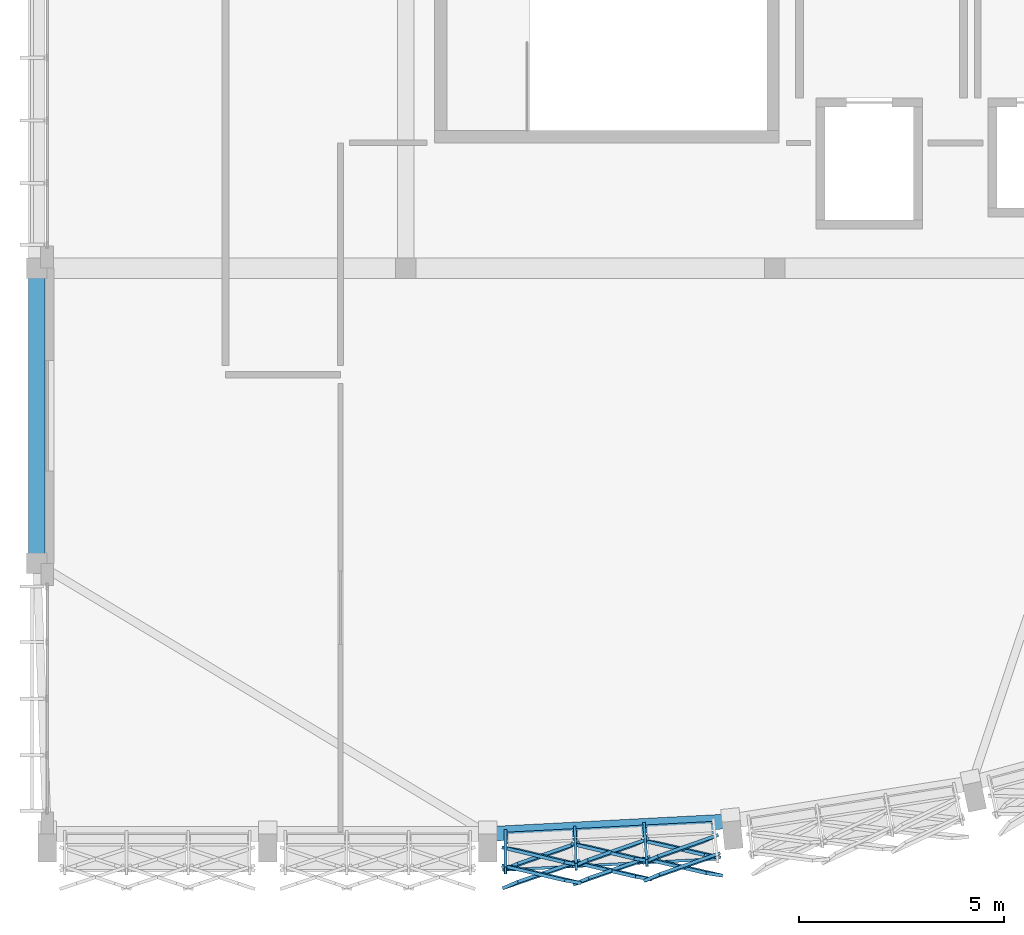
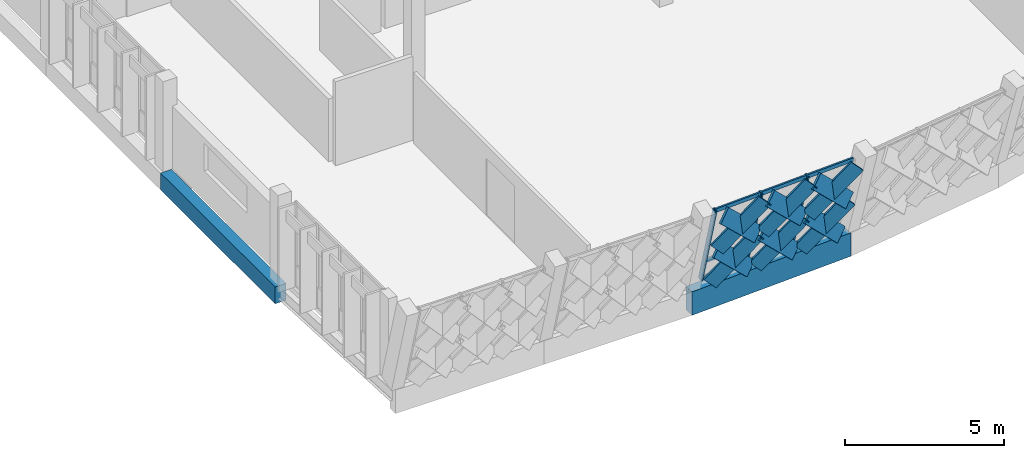
# One storey, part 3 of 24: 18 members, 2 beams, 1 element without a shape of its own.
"""IFC4 building model written with IfcOpenShell, lengths in metres."""

from ifc_helpers import new_model, si_unit, direction, frame, origin, origin_2d, place, context, subcontext, project, spatial, rectangle, hollow_rectangle, extrude, material, material_profile, profile_set, type_object, element, aggregate, save


model = new_model("IFC4")

# Units and contexts
model_context = context("Model", 3, precision=1e-05, world=origin(), true_north=direction((0.0, 1.0)))
body_context = subcontext(model_context, "Body", "Model", "MODEL_VIEW")
ifc_project = project(units=[si_unit("LENGTHUNIT", "METRE"), si_unit("AREAUNIT", "SQUARE_METRE"), si_unit("VOLUMEUNIT", "CUBIC_METRE"), si_unit("PLANEANGLEUNIT", "RADIAN"), si_unit("MASSUNIT", "GRAM", prefix="KILO")], contexts=[model_context])

# Site, building, storey
site_placement = place(None, origin())
site = spatial("IfcSite", under=ifc_project, at=site_placement, CompositionType="ELEMENT")
building_placement = place(site_placement, origin())
building = spatial("IfcBuilding", under=site, at=building_placement, Name="Chiffa Square Polytechnic", CompositionType="ELEMENT")
storey_placement = place(building_placement, frame((0.0, 0.0, 26.39990234375)))
storey = spatial("IfcBuildingStorey", under=building, at=storey_placement, Name="L06", CompositionType="ELEMENT", Elevation=26.39990234375)

# Beam
ifc_material_1 = material(Name="Concrete C35/45", Category="concrete")
ifc_material_profile_1 = material_profile(ifc_material_1, rectangle(XDim=0.39990234375, YDim=0.64990234375, at=origin_2d()), Name="RC 400x650")
ifc_profile_set_1 = profile_set([ifc_material_profile_1], Name="Concrete C35/45")
beam_type_1 = type_object("IfcBeamType", Name="BM-RC-400X650", PredefinedType="BEAM", material=ifc_profile_set_1)
beam_1_placement = place(storey_placement, frame((112.199951171875, 7.199951171875, -0.544921875), z_axis=(0.0, 1.0, 0.0), x_axis=(-1.0, 0.0, 0.0)))
element("IfcBeam", 1, at=beam_1_placement, inside=storey, type_object=beam_type_1, Name="Primary floor girder BM-V1-L06-Y-1122-0072", PredefinedType="BEAM", context=body_context, shape_type="SweptSolid", body=[
    extrude(rectangle(XDim=0.39990234375, YDim=0.64990234375, at=origin_2d()), origin(), (0.0, 0.0, 1.0), 7.199951171875),
])

# Curtain wall, members
ifc_material_2 = material(Name="Aluminium EN AW-6060 T66 and glulam shading", Category="wood")
curtain_wall_type = type_object("IfcCurtainWallType", Name="CW-PROW-LEAN-150", PredefinedType="USERDEFINED", material=ifc_material_2)
curtain_wall_placement = place(storey_placement, origin())
curtain_wall = element("IfcCurtainWall", 2, at=curtain_wall_placement, inside=storey, type_object=curtain_wall_type, Name="Outward-leaning diamond-fin prow curtain wall CW-V1-L06-097", ObjectType="CURTAIN WALL", PredefinedType="USERDEFINED")
ifc_material_3 = material(Name="Aluminium EN AW-6060 T66", Category="aluminium")
ifc_material_profile_2 = material_profile(ifc_material_3, hollow_rectangle(XDim=0.06494140625, YDim=0.179931640625, WallThickness=0.00390625, at=origin_2d()), Name="ALU 65x180x4")
ifc_profile_set_2 = profile_set([ifc_material_profile_2], Name="Aluminium EN AW-6060 T66")
member_type_1 = type_object("IfcMemberType", Name="CWM-ALU-75X180", PredefinedType="MULLION", material=ifc_profile_set_2)
member_1_placement = place(storey_placement, frame((123.62890625, 0.618896484375, 0.0), z_axis=(0.0, -0.27231736032, 0.962207490757), x_axis=(1.0, 0.0, 0.0)))
member_1 = element("IfcMember", 3, at=member_1_placement, type_object=member_type_1, Name="Leaning prow mullion CW-V1-L06-097-M00", PredefinedType="MULLION", context=body_context, shape_type="SweptSolid", body=[
    extrude(hollow_rectangle(XDim=0.06494140625, YDim=0.179931640625, WallThickness=0.00390625, at=origin_2d()), origin(), (0.0, 0.0, 1.0), 3.34130859375),
])
member_2_placement = place(storey_placement, frame((125.3203125, 0.707275390625, 0.0), z_axis=(0.009499486548, -0.271831461228, 0.962297987342), x_axis=(0.999389938991, 0.034924917223, 0.0)))
member_2 = element("IfcMember", 4, at=member_2_placement, type_object=member_type_1, Name="Leaning prow mullion CW-V1-L06-097-M01", PredefinedType="MULLION", context=body_context, shape_type="SweptSolid", body=[
    extrude(hollow_rectangle(XDim=0.06494140625, YDim=0.179931640625, WallThickness=0.00390625, at=origin_2d()), origin(), (0.0, 0.0, 1.0), 3.341064453125),
])
member_3_placement = place(storey_placement, frame((127.01171875, 0.795654296875, 0.0), z_axis=(0.01892561833, -0.271388982533, 0.962283659391), x_axis=(0.997577268806, 0.069567181643, 0.0)))
member_3 = element("IfcMember", 5, at=member_3_placement, type_object=member_type_1, Name="Leaning prow mullion CW-V1-L06-097-M02", PredefinedType="MULLION", context=body_context, shape_type="SweptSolid", body=[
    extrude(hollow_rectangle(XDim=0.06494140625, YDim=0.179931640625, WallThickness=0.00390625, at=origin_2d()), origin(), (0.0, 0.0, 1.0), 3.341064453125),
])
ifc_material_4 = material(Name="Glulam GL28h", Category="wood")
ifc_material_profile_3 = material_profile(ifc_material_4, rectangle(XDim=0.080078125, YDim=0.580078125, at=origin_2d()), Name="GL28h 80x580")
ifc_profile_set_3 = profile_set([ifc_material_profile_3], Name="Glulam GL28h")
member_type_2 = type_object("IfcMemberType", Name="CWM-GL-80X580", PredefinedType="MULLION", material=ifc_profile_set_3)
member_4_placement = place(storey_placement, frame((123.741943359375, 0.238037109375, 0.0400390625), z_axis=(0.68653818581, -0.164411891269, 0.708261286132), x_axis=(0.196526975349, 0.979802070599, 0.036946588625)))
member_4 = element("IfcMember", 6, at=member_4_placement, type_object=member_type_2, Name="Diamond glulam fin CW-V1-L06-097-DF01A", PredefinedType="MULLION", context=body_context, shape_type="SweptSolid", body=[
    extrude(rectangle(XDim=0.080078125, YDim=0.580078125, at=origin_2d()), origin(), (0.0, 0.0, 1.0), 2.214111328125),
])
member_5_placement = place(storey_placement, frame((125.2470703125, 0.31689453125, 0.0400390625), z_axis=(-0.673256761842, -0.233919867618, 0.701431983992), x_axis=(0.36242658832, -0.931265562665, 0.037301740894)))
member_5 = element("IfcMember", 7, at=member_5_placement, type_object=member_type_2, Name="Diamond glulam fin CW-V1-L06-097-DF01B", PredefinedType="MULLION", context=body_context, shape_type="SweptSolid", body=[
    extrude(rectangle(XDim=0.080078125, YDim=0.580078125, at=origin_2d()), origin(), (0.0, 0.0, 1.0), 2.235595703125),
])
member_6_placement = place(storey_placement, frame((123.741943359375, -0.2060546875, 1.608154296875), z_axis=(0.69015633026, -0.163339561212, 0.704985409455), x_axis=(0.194088283153, 0.980281595846, 0.037117801492)))
member_6 = element("IfcMember", 8, at=member_6_placement, type_object=member_type_2, Name="Diamond glulam fin CW-V1-L06-097-DF02A", PredefinedType="MULLION", context=body_context, shape_type="SweptSolid", body=[
    extrude(rectangle(XDim=0.080078125, YDim=0.580078125, at=origin_2d()), origin(), (0.0, 0.0, 1.0), 2.22265625),
])
member_7_placement = place(storey_placement, frame((125.261962890625, -0.1259765625, 1.608154296875), z_axis=(-0.676895722299, -0.23302967489, 0.698218699086), x_axis=(0.359618616061, -0.932346884097, 0.037466500997)))
member_7 = element("IfcMember", 9, at=member_7_placement, type_object=member_type_2, Name="Diamond glulam fin CW-V1-L06-097-DF02B", PredefinedType="MULLION", context=body_context, shape_type="SweptSolid", body=[
    extrude(rectangle(XDim=0.080078125, YDim=0.580078125, at=origin_2d()), origin(), (0.0, 0.0, 1.0), 2.244140625),
])
member_8_placement = place(storey_placement, frame((125.43310546875, 0.325927734375, 0.0400390625), z_axis=(0.690349076229, -0.163177408417, 0.704834226136), x_axis=(0.193816576232, 0.980335054859, 0.037125664877)))
member_8 = element("IfcMember", 10, at=member_8_placement, type_object=member_type_2, Name="Diamond glulam fin CW-V1-L06-097-DF03A", PredefinedType="MULLION", context=body_context, shape_type="SweptSolid", body=[
    extrude(rectangle(XDim=0.080078125, YDim=0.580078125, at=origin_2d()), origin(), (0.0, 0.0, 1.0), 2.224853515625),
])
member_9_placement = place(storey_placement, frame((126.93896484375, 0.405029296875, 0.0400390625), z_axis=(-0.669425259706, -0.234227497002, 0.70498744763), x_axis=(0.364634131903, -0.930410783759, 0.037117695459)))
member_9 = element("IfcMember", 11, at=member_9_placement, type_object=member_type_2, Name="Diamond glulam fin CW-V1-L06-097-DF03B", PredefinedType="MULLION", context=body_context, shape_type="SweptSolid", body=[
    extrude(rectangle(XDim=0.080078125, YDim=0.580078125, at=origin_2d()), origin(), (0.0, 0.0, 1.0), 2.224365234375),
])
member_10_placement = place(storey_placement, frame((125.449951171875, -0.115966796875, 1.608154296875), z_axis=(0.693697794237, -0.162573462574, 0.70167887209), x_axis=(0.192108424436, 0.980665020395, 0.037289020299)))
member_10 = element("IfcMember", 12, at=member_10_placement, type_object=member_type_2, Name="Diamond glulam fin CW-V1-L06-097-DF04A", PredefinedType="MULLION", context=body_context, shape_type="SweptSolid", body=[
    extrude(rectangle(XDim=0.080078125, YDim=0.580078125, at=origin_2d()), origin(), (0.0, 0.0, 1.0), 2.233154296875),
])
member_11_placement = place(storey_placement, frame((126.968994140625, -0.037109375, 1.608154296875), z_axis=(-0.673045774989, -0.233751115485, 0.701690673145), x_axis=(0.362321530592, -0.931306975597, 0.037288412044)))
member_11 = element("IfcMember", 13, at=member_11_placement, type_object=member_type_2, Name="Diamond glulam fin CW-V1-L06-097-DF04B", PredefinedType="MULLION", context=body_context, shape_type="SweptSolid", body=[
    extrude(rectangle(XDim=0.080078125, YDim=0.580078125, at=origin_2d()), origin(), (0.0, 0.0, 1.0), 2.23291015625),
])
member_12_placement = place(storey_placement, frame((127.125, 0.4150390625, 0.0400390625), z_axis=(0.693885244625, -0.162412617465, 0.70153076125), x_axis=(0.191841605821, 0.980716961198, 0.03729665258)))
member_12 = element("IfcMember", 14, at=member_12_placement, type_object=member_type_2, Name="Diamond glulam fin CW-V1-L06-097-DF05A", PredefinedType="MULLION", context=body_context, shape_type="SweptSolid", body=[
    extrude(rectangle(XDim=0.080078125, YDim=0.580078125, at=origin_2d()), origin(), (0.0, 0.0, 1.0), 2.2353515625),
])
member_13_placement = place(storey_placement, frame((128.631103515625, 0.492919921875, 0.0400390625), z_axis=(-0.665774373702, -0.234862440541, 0.70822603549), x_axis=(0.367171650771, -0.929419061399, 0.036948439448)))
member_13 = element("IfcMember", 15, at=member_13_placement, type_object=member_type_2, Name="Diamond glulam fin CW-V1-L06-097-DF05B", PredefinedType="MULLION", context=body_context, shape_type="SweptSolid", body=[
    extrude(rectangle(XDim=0.080078125, YDim=0.580078125, at=origin_2d()), origin(), (0.0, 0.0, 1.0), 2.214111328125),
])
member_14_placement = place(storey_placement, frame((127.156982421875, -0.027099609375, 1.608154296875), z_axis=(0.697418637131, -0.161244059318, 0.698289050406), x_axis=(0.189344047692, 0.981195883607, 0.037462909598)))
member_14 = element("IfcMember", 16, at=member_14_placement, type_object=member_type_2, Name="Diamond glulam fin CW-V1-L06-097-DF06A", PredefinedType="MULLION", context=body_context, shape_type="SweptSolid", body=[
    extrude(rectangle(XDim=0.080078125, YDim=0.580078125, at=origin_2d()), origin(), (0.0, 0.0, 1.0), 2.243896484375),
])
member_15_placement = place(storey_placement, frame((128.676025390625, 0.052001953125, 1.608154296875), z_axis=(-0.669199411835, -0.234456008021, 0.705125894789), x_axis=(0.365021823079, -0.930259039244, 0.037110491528)))
member_15 = element("IfcMember", 17, at=member_15_placement, type_object=member_type_2, Name="Diamond glulam fin CW-V1-L06-097-DF06B", PredefinedType="MULLION", context=body_context, shape_type="SweptSolid", body=[
    extrude(rectangle(XDim=0.080078125, YDim=0.580078125, at=origin_2d()), origin(), (0.0, 0.0, 1.0), 2.22216796875),
])
ifc_material_profile_4 = material_profile(ifc_material_3, hollow_rectangle(XDim=0.06494140625, YDim=0.139892578125, WallThickness=0.00390625, at=origin_2d()), Name="ALU 65x140x4")
ifc_profile_set_4 = profile_set([ifc_material_profile_4], Name="Aluminium EN AW-6060 T66")
member_type_3 = type_object("IfcMemberType", Name="CWT-ALU-75X140", PredefinedType="USERDEFINED", material=ifc_profile_set_4)
member_16_placement = place(storey_placement, frame((123.62890625, 0.607666015625, 0.0400390625), z_axis=(0.998638190393, 0.052170534672, 0.0), x_axis=(-0.052170534672, 0.998638190393, 0.0)))
member_16 = element("IfcMember", 18, at=member_16_placement, type_object=member_type_3, Name="Leaning prow transom CW-V1-L06-097-T01", ObjectType="TRANSOM", PredefinedType="USERDEFINED", context=body_context, shape_type="SweptSolid", body=[
    extrude(hollow_rectangle(XDim=0.06494140625, YDim=0.139892578125, WallThickness=0.00390625, at=origin_2d()), origin(), (0.0, 0.0, 1.0), 5.08203125),
])
member_17_placement = place(storey_placement, frame((123.62890625, 0.37841796875, 0.85009765625), z_axis=(0.99863848852, 0.052164827682, 0.0), x_axis=(-0.052164827682, 0.99863848852, 0.0)))
member_17 = element("IfcMember", 19, at=member_17_placement, type_object=member_type_3, Name="Leaning prow transom CW-V1-L06-097-T02", ObjectType="TRANSOM", PredefinedType="USERDEFINED", context=body_context, shape_type="SweptSolid", body=[
    extrude(hollow_rectangle(XDim=0.06494140625, YDim=0.139892578125, WallThickness=0.00390625, at=origin_2d()), origin(), (0.0, 0.0, 1.0), 5.10595703125),
])
member_18_placement = place(storey_placement, frame((123.62890625, -0.27978515625, 3.175048828125), z_axis=(0.998637826203, 0.05217750547, 0.0), x_axis=(-0.05217750547, 0.998637826203, 0.0)))
member_18 = element("IfcMember", 20, at=member_18_placement, type_object=member_type_3, Name="Leaning prow transom CW-V1-L06-097-T03", ObjectType="TRANSOM", PredefinedType="USERDEFINED", context=body_context, shape_type="SweptSolid", body=[
    extrude(hollow_rectangle(XDim=0.06494140625, YDim=0.139892578125, WallThickness=0.00390625, at=origin_2d()), origin(), (0.0, 0.0, 1.0), 5.175048828125),
])
aggregate(curtain_wall, [member_1, member_2, member_3, member_16, member_17, member_18, member_4, member_5, member_6, member_7, member_8, member_9, member_10, member_11, member_12, member_13, member_14, member_15])

# Beam
ifc_material_5 = material(Name="Glulam GL32c", Category="wood")
ifc_material_profile_5 = material_profile(ifc_material_5, rectangle(XDim=0.360107421875, YDim=0.89990234375, at=origin_2d()), Name="GL32c 360x900")
ifc_profile_set_5 = profile_set([ifc_material_profile_5], Name="Glulam GL32c")
beam_type_2 = type_object("IfcBeamType", Name="RB-GL-360X900", PredefinedType="SPANDREL", material=ifc_profile_set_5)
beam_2_placement = place(storey_placement, frame((123.199951171875, 0.595947265625, -0.669921875), z_axis=(0.998628254712, 0.052360375196, 0.0), x_axis=(-0.052360375196, 0.998628254712, 0.0)))
element("IfcBeam", 21, at=beam_2_placement, inside=storey, type_object=beam_type_2, Name="Prow perimeter edge beam RB-V1-PROW-L06-03", PredefinedType="SPANDREL", context=body_context, shape_type="SweptSolid", body=[
    extrude(rectangle(XDim=0.360107421875, YDim=0.89990234375, at=origin_2d()), origin(), (0.0, 0.0, 1.0), 5.940185546875),
])

save(model, "model.ifc")
